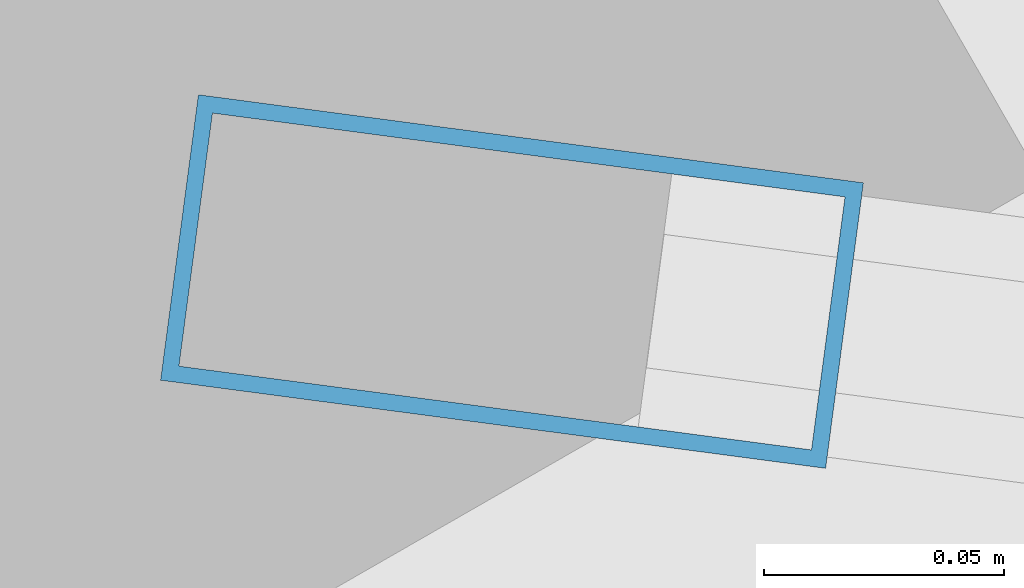
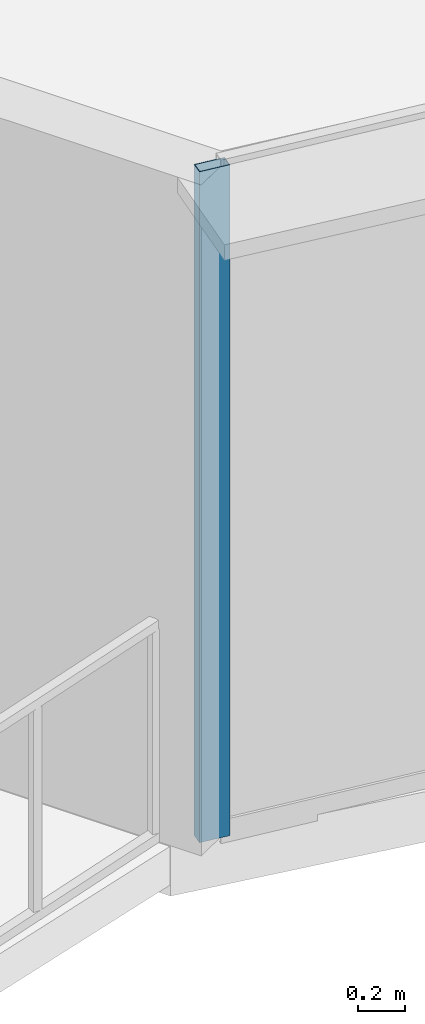
# One storey, part 2 of 37: 1 member, 1 element without a shape of its own.
"""IFC4 building model written with IfcOpenShell, lengths in metres."""

from ifc_helpers import new_model, si_unit, direction, frame, origin, origin_2d, place, context, subcontext, project, spatial, hollow_rectangle, extrude, source, transform, mapped, material, layer, layer_set, material_profile, profile_set, type_object, element, aggregate, save


model = new_model("IFC4")

# Units and contexts
model_context = context("Model", 3, precision=1e-05, world=origin(), true_north=direction((0.0, 1.0)))
body_context = subcontext(model_context, "Body", "Model", "MODEL_VIEW")
ifc_project = project(units=[si_unit("LENGTHUNIT", "METRE"), si_unit("AREAUNIT", "SQUARE_METRE"), si_unit("VOLUMEUNIT", "CUBIC_METRE"), si_unit("PLANEANGLEUNIT", "RADIAN"), si_unit("MASSUNIT", "GRAM", prefix="KILO"), si_unit("THERMODYNAMICTEMPERATUREUNIT", "KELVIN"), si_unit("POWERUNIT", "WATT")], contexts=[model_context])

# Site, building, storey
site_placement = place(None, origin())
site = spatial("IfcSite", under=ifc_project, at=site_placement, CompositionType="ELEMENT")
building_placement = place(site_placement, origin())
building = spatial("IfcBuilding", under=site, at=building_placement, Name="Yunzhuo Pagoda Commons", CompositionType="ELEMENT")
storey_placement = place(building_placement, frame((0.0, 0.0, 277.56005859375)))
storey = spatial("IfcBuildingStorey", under=building, at=storey_placement, Name="L69", CompositionType="ELEMENT", Elevation=277.56005859375)

# Curtain wall, member
ifc_material = material(Name="Anodized aluminium 6063-T6", Category="aluminium")
ifc_layer = layer(ifc_material, 0.139892578125)
ifc_layer_set = layer_set([ifc_layer], Name="Anodized aluminium 6063-T6")
curtain_wall_type = type_object("IfcCurtainWallType", Name="CW-HI High-Zone Ribbon Curtain Wall", PredefinedType="NOTDEFINED", material=ifc_layer_set)
curtain_wall_placement = place(storey_placement, origin())
curtain_wall = element("IfcCurtainWall", 1, at=curtain_wall_placement, inside=storey, type_object=curtain_wall_type, Name="L69 curtain wall CW-L69-F1B1", PredefinedType="NOTDEFINED")
ifc_material_profile = material_profile(ifc_material, hollow_rectangle(XDim=0.06005859375, YDim=0.139892578125, WallThickness=0.00341796875, at=origin_2d()), Name="Anodized aluminium 6063-T6")
ifc_profile_set = profile_set([ifc_material_profile], Name="Anodized aluminium 6063-T6")
member_type = type_object("IfcMemberType", Name="CW-HI-M Mullion RHS 140x60x3.5", PredefinedType="MULLION", material=ifc_profile_set)
shared_shape = source(origin(), body_context, "Body", "SweptSolid", [
    extrude(hollow_rectangle(XDim=0.06005859375, YDim=0.139892578125, WallThickness=0.00341796875, at=origin_2d()), origin(), (0.0, 0.0, 1.0), 3.469970703125),
])
member_placement = place(storey_placement, frame((19.035888671875, 20.89306640625, 0.0), z_axis=(0.0, 0.0, 1.0), x_axis=(0.131311416098, 0.991341168318, 0.0)))
member = element("IfcMember", 2, at=member_placement, type_object=member_type, Name="CW mullion 1", PredefinedType="MULLION", context=body_context, shape_type="MappedRepresentation", body=[
    mapped(shared_shape, transform((0.0, 0.0, 0.0), scale=1.0)),
])
aggregate(curtain_wall, [member])

save(model, "model.ifc")
